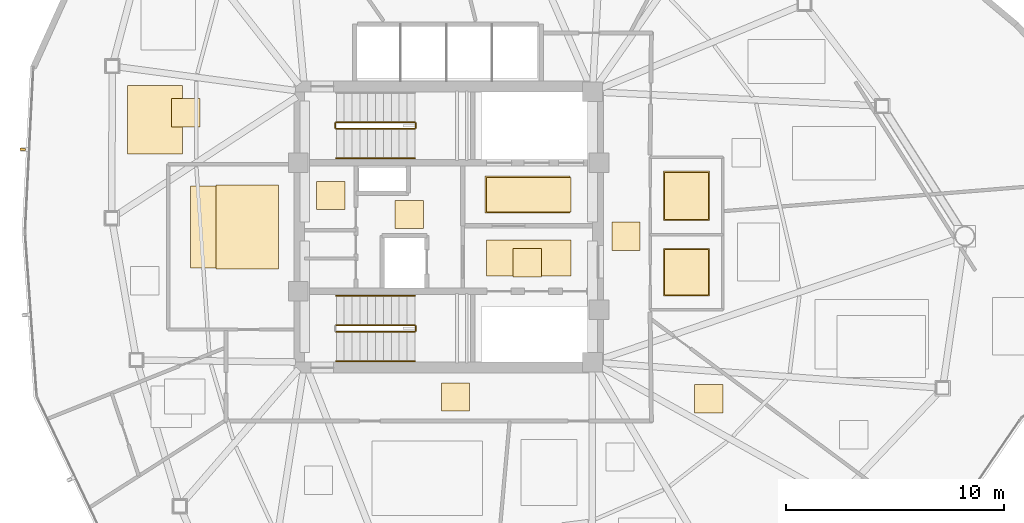
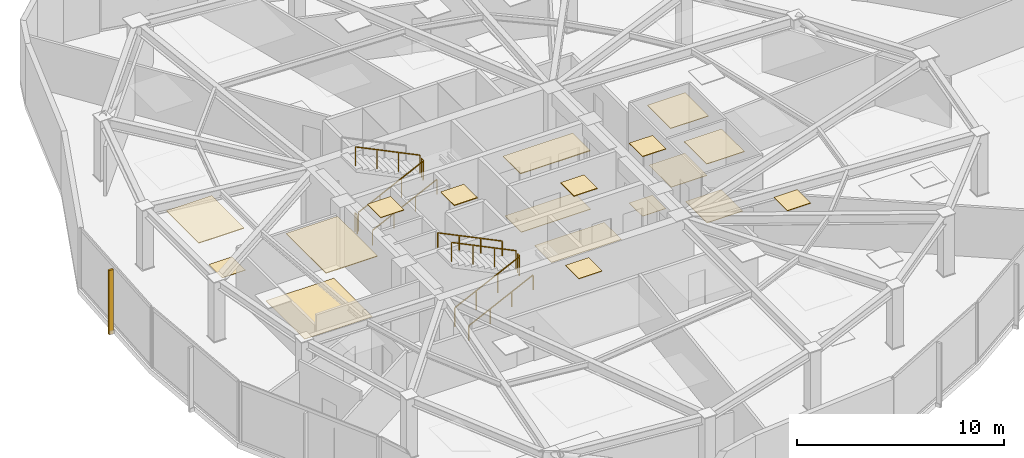
# One storey, part 15 of 17: 18 coverings, 10 railings, 1 shading device.
"""IFC4 building model written with IfcOpenShell, lengths in metres."""

from ifc_helpers import new_model, si_unit, direction, frame, origin, origin_2d, place, context, subcontext, project, spatial, polyline, rectangle, outline, extrude, source, transform, mapped, material, layer, layer_set, type_object, type_shapes, element, save


model = new_model("IFC4")

# Units and contexts
model_context = context("Model", 3, precision=1e-05, world=origin(), true_north=direction((0.0, 1.0)))
body_context = subcontext(model_context, "Body", "Model", "MODEL_VIEW")
ifc_project = project(units=[si_unit("LENGTHUNIT", "METRE"), si_unit("AREAUNIT", "SQUARE_METRE"), si_unit("VOLUMEUNIT", "CUBIC_METRE"), si_unit("PLANEANGLEUNIT", "RADIAN"), si_unit("MASSUNIT", "GRAM", prefix="KILO")], contexts=[model_context])

# Site, building, storey
site_placement = place(None, origin())
site = spatial("IfcSite", under=ifc_project, at=site_placement, CompositionType="ELEMENT")
building_placement = place(site_placement, origin())
building = spatial("IfcBuilding", under=site, at=building_placement, Name="Tavelor Broadcast Tower", CompositionType="ELEMENT")
storey_placement = place(building_placement, frame((0.0, 0.0, 161.800048828125)))
storey = spatial("IfcBuildingStorey", under=building, at=storey_placement, Name="L38", CompositionType="ELEMENT", Elevation=161.800048828125)

# Coverings
ifc_material_1 = material(Name="Copper-Bronze Anodized Aluminium", Category="aluminium")
ifc_layer_1 = layer(ifc_material_1, 0.044921875)
ifc_layer_set_1 = layer_set([ifc_layer_1], Name="Copper-Bronze Anodized Aluminium")
covering_type_1 = type_object("IfcCoveringType", Name="Anodised Bronze Linear Slatted Concourse Ceiling 45 mm", PredefinedType="CEILING", material=ifc_layer_set_1)
covering_1_placement = place(storey_placement, frame((0.0, 0.0, 3.5048828125)))
element("IfcCovering", 1, at=covering_1_placement, inside=storey, type_object=covering_type_1, Name="L38 Suspended Acoustic Ceiling 1570", PredefinedType="CEILING", context=body_context, shape_type="SweptSolid", body=[
    extrude(outline(polyline([(51.659912109375, 45.6318359375), (55.55712890625, 45.6318359375), (55.55712890625, 47.328125), (51.659912109375, 47.328125), (51.659912109375, 45.6318359375)])), origin(), (0.0, 0.0, 1.0), 0.045166015625),
])
covering_2_placement = place(storey_placement, frame((0.0, 0.0, 3.5048828125)))
element("IfcCovering", 2, at=covering_2_placement, inside=storey, type_object=covering_type_1, Name="L38 Suspended Acoustic Ceiling 1571", PredefinedType="CEILING", context=body_context, shape_type="SweptSolid", body=[
    extrude(outline(polyline([(52.95361328125, 42.705078125), (54.25341796875, 42.705078125), (54.25341796875, 44.0048828125), (52.95361328125, 44.0048828125), (52.95361328125, 42.705078125)])), origin(), (0.0, 0.0, 1.0), 0.045166015625),
])
covering_3_placement = place(storey_placement, frame((0.0, 0.0, 3.5048828125)))
element("IfcCovering", 3, at=covering_3_placement, inside=storey, type_object=covering_type_1, Name="L38 Suspended Acoustic Ceiling 1572", PredefinedType="CEILING", context=body_context, shape_type="SweptSolid", body=[
    extrude(outline(polyline([(47.544921875, 44.919921875), (48.844970703125, 44.919921875), (48.844970703125, 46.219970703125), (47.544921875, 46.219970703125), (47.544921875, 44.919921875)])), origin(), (0.0, 0.0, 1.0), 0.045166015625),
])

# Railings
ifc_material_2 = material(Name="Steel S355", Category="steel")
railing_type_1 = type_object("IfcRailingType", Name="Continuous Brushed Stainless Handrail 900 mm", PredefinedType="HANDRAIL", material=ifc_material_2)
for number, where, name in (
    (4, (44.85009765625, 48.14990234375, 0.175048828125), "L38 ST1 stair handrail 1"),
    (5, (44.85009765625, 38.85009765625, 0.175048828125), "L38 ST2 stair handrail 1"),
):
    element("IfcRailing", number, at=place(storey_placement, frame(where)), inside=storey, type_object=railing_type_1, Name=name, PredefinedType="HANDRAIL", context=body_context, shape_type="SweptSolid", body=[
        extrude(rectangle(XDim=0.048095703125, YDim=0.048095703125, at=origin_2d()), frame((0.0, 0.0, 0.8759765625), z_axis=(0.899360859046, 0.0, 0.437207096483), x_axis=(0.0, 1.0, 0.0)), (0.0, 0.0, 1.0), 4.002685546875),
        extrude(rectangle(XDim=0.0419921875, YDim=0.0419921875, at=origin_2d()), origin(), (0.0, 0.0, 1.0), 0.851806640625),
        extrude(rectangle(XDim=0.0419921875, YDim=0.0419921875, at=origin_2d()), frame((1.199951171875, 0.0, 0.583251953125)), (0.0, 0.0, 1.0), 0.851806640625),
        extrude(rectangle(XDim=0.0419921875, YDim=0.0419921875, at=origin_2d()), frame((2.39990234375, 0.0, 1.166748046875)), (0.0, 0.0, 1.0), 0.851806640625),
        extrude(rectangle(XDim=0.0419921875, YDim=0.0419921875, at=origin_2d()), frame((3.599853515625, 0.0, 1.75)), (0.0, 0.0, 1.0), 0.851806640625),
    ])
railing_1_placement = place(storey_placement, frame((48.449951171875, 41.85009765625, 2.099853515625)))
element("IfcRailing", 6, at=railing_1_placement, inside=storey, type_object=railing_type_1, Name="L38 ST2 stair handrail 2", PredefinedType="HANDRAIL", context=body_context, shape_type="SweptSolid", body=[
    extrude(rectangle(XDim=0.048095703125, YDim=0.048095703125, at=origin_2d()), frame((0.0, 0.0, 0.8759765625), z_axis=(-0.899360859046, 0.0, 0.437207096483), x_axis=(0.0, -1.0, 0.0)), (0.0, 0.0, 1.0), 4.002685546875),
    extrude(rectangle(XDim=0.0419921875, YDim=0.0419921875, at=origin_2d()), origin(), (0.0, 0.0, 1.0), 0.851806640625),
    extrude(rectangle(XDim=0.0419921875, YDim=0.0419921875, at=origin_2d()), frame((-1.199951171875, 0.0, 0.583251953125)), (0.0, 0.0, 1.0), 0.851806640625),
    extrude(rectangle(XDim=0.0419921875, YDim=0.0419921875, at=origin_2d()), frame((-2.39990234375, 0.0, 1.166748046875)), (0.0, 0.0, 1.0), 0.851806640625),
    extrude(rectangle(XDim=0.0419921875, YDim=0.0419921875, at=origin_2d()), frame((-3.599853515625, 0.0, 1.75)), (0.0, 0.0, 1.0), 0.851806640625),
])

# Coverings
ifc_material_3 = material(Name="Architectural Anodized Aluminium", Category="aluminium")
ifc_layer_2 = layer(ifc_material_3, 0.034912109375)
ifc_layer_set_2 = layer_set([ifc_layer_2], Name="Architectural Anodized Aluminium")
covering_type_2 = type_object("IfcCoveringType", Name="Demountable Metal Tile Corridor Ceiling 35 mm", PredefinedType="CEILING", material=ifc_layer_set_2)
covering_4_placement = place(storey_placement, frame((0.0, 0.0, 3.514892578125)))
element("IfcCovering", 7, at=covering_4_placement, inside=storey, type_object=covering_type_2, Name="L38 Suspended Acoustic Ceiling 1574", PredefinedType="CEILING", context=body_context, shape_type="SweptSolid", body=[
    extrude(outline(polyline([(57.489990234375, 43.925048828125), (58.7900390625, 43.925048828125), (58.7900390625, 45.22509765625), (57.489990234375, 45.22509765625), (57.489990234375, 43.925048828125)])), origin(), (0.0, 0.0, 1.0), 0.03515625),
])
covering_5_placement = place(storey_placement, frame((0.0, 0.0, 3.514892578125)))
element("IfcCovering", 8, at=covering_5_placement, inside=storey, type_object=covering_type_2, Name="L38 Suspended Acoustic Ceiling 1575", PredefinedType="CEILING", context=body_context, shape_type="SweptSolid", body=[
    extrude(outline(polyline([(49.669921875, 36.550048828125), (50.9697265625, 36.550048828125), (50.9697265625, 37.85009765625), (49.669921875, 37.85009765625), (49.669921875, 36.550048828125)])), origin(), (0.0, 0.0, 1.0), 0.03515625),
])
ifc_material_4 = material(Name="Acoustic Nylon Carpet Tile")
ifc_layer_3 = layer(ifc_material_4, 0.02001953125)
ifc_layer_set_3 = layer_set([ifc_layer_3], Name="Acoustic Nylon Carpet Tile")
covering_type_3 = type_object("IfcCoveringType", Name="Heavy-Duty Acoustic Broadcast Carpet Tile 20 mm", PredefinedType="FLOORING", material=ifc_layer_set_3)
covering_6_placement = place(storey_placement, origin())
element("IfcCovering", 9, at=covering_6_placement, inside=storey, type_object=covering_type_3, Name="L38 Broadcast Floor Finish 0557", PredefinedType="FLOORING", context=body_context, shape_type="SweptSolid", body=[
    extrude(outline(polyline([(57.489990234375, 43.925048828125), (58.7900390625, 43.925048828125), (58.7900390625, 45.22509765625), (57.489990234375, 45.22509765625), (57.489990234375, 43.925048828125)])), origin(), (0.0, 0.0, 1.0), 0.02001953125),
])
covering_7_placement = place(storey_placement, origin())
element("IfcCovering", 10, at=covering_7_placement, inside=storey, type_object=covering_type_3, Name="L38 Broadcast Floor Finish 0558", PredefinedType="FLOORING", context=body_context, shape_type="SweptSolid", body=[
    extrude(outline(polyline([(38.15771484375, 43.12890625), (41.942138671875, 43.12890625), (41.942138671875, 46.87060546875), (38.15771484375, 46.87060546875), (38.15771484375, 43.12890625)])), origin(), (0.0, 0.0, 1.0), 0.02001953125),
])
covering_8_placement = place(storey_placement, origin())
element("IfcCovering", 11, at=covering_8_placement, inside=storey, type_object=covering_type_3, Name="L38 Broadcast Floor Finish 0563", PredefinedType="FLOORING", context=body_context, shape_type="SweptSolid", body=[
    extrude(outline(polyline([(37.29345703125, 49.589599609375), (38.593505859375, 49.589599609375), (38.593505859375, 50.889404296875), (37.29345703125, 50.889404296875), (37.29345703125, 49.589599609375)])), origin(), (0.0, 0.0, 1.0), 0.02001953125),
])
ifc_material_5 = material(Name="Honed Natural Limestone Tile", Category="masonry")
ifc_layer_4 = layer(ifc_material_5, 0.030029296875)
ifc_layer_set_4 = layer_set([ifc_layer_4], Name="Honed Natural Limestone Tile")
covering_type_4 = type_object("IfcCoveringType", Name="Honed Jerusalem Limestone Concourse Flooring 30 mm", PredefinedType="FLOORING", material=ifc_layer_set_4)
covering_9_placement = place(storey_placement, origin())
element("IfcCovering", 12, at=covering_9_placement, inside=storey, type_object=covering_type_4, Name="L38 Broadcast Floor Finish 0555", PredefinedType="FLOORING", context=body_context, shape_type="SweptSolid", body=[
    extrude(outline(polyline([(51.7373046875, 45.689453125), (55.62255859375, 45.689453125), (55.62255859375, 47.2705078125), (51.7373046875, 47.2705078125), (51.7373046875, 45.689453125)])), origin(), (0.0, 0.0, 1.0), 0.030029296875),
])
covering_10_placement = place(storey_placement, origin())
element("IfcCovering", 13, at=covering_10_placement, inside=storey, type_object=covering_type_4, Name="L38 Broadcast Floor Finish 0556", PredefinedType="FLOORING", context=body_context, shape_type="SweptSolid", body=[
    extrude(outline(polyline([(51.728759765625, 42.743408203125), (55.62109375, 42.743408203125), (55.62109375, 44.396484375), (51.728759765625, 44.396484375), (51.728759765625, 42.743408203125)])), origin(), (0.0, 0.0, 1.0), 0.030029296875),
])
ifc_layer_5 = layer(ifc_material_3, 0.030029296875)
ifc_layer_set_5 = layer_set([ifc_layer_5], Name="Architectural Anodized Aluminium")
covering_type_5 = type_object("IfcCoveringType", Name="Moisture-Resistant Washroom Ceiling 30 mm", PredefinedType="CEILING", material=ifc_layer_set_5)
covering_11_placement = place(storey_placement, frame((0.0, 0.0, 3.52001953125)))
element("IfcCovering", 14, at=covering_11_placement, inside=storey, type_object=covering_type_5, Name="L38 Suspended Acoustic Ceiling 1573", PredefinedType="CEILING", context=body_context, shape_type="SweptSolid", body=[
    extrude(outline(polyline([(43.951416015625, 45.794921875), (45.25146484375, 45.794921875), (45.25146484375, 47.094970703125), (43.951416015625, 47.094970703125), (43.951416015625, 45.794921875)])), origin(), (0.0, 0.0, 1.0), 0.030029296875),
])
covering_12_placement = place(storey_placement, frame((0.0, 0.0, 3.52001953125)))
element("IfcCovering", 15, at=covering_12_placement, inside=storey, type_object=covering_type_5, Name="L38 Suspended Acoustic Ceiling 1577", PredefinedType="CEILING", context=body_context, shape_type="SweptSolid", body=[
    extrude(outline(polyline([(59.85302734375, 41.828369140625), (61.967041015625, 41.828369140625), (61.967041015625, 44.021484375), (59.85302734375, 44.021484375), (59.85302734375, 41.828369140625)])), origin(), (0.0, 0.0, 1.0), 0.030029296875),
])
covering_13_placement = place(storey_placement, frame((0.0, 0.0, 3.52001953125)))
element("IfcCovering", 16, at=covering_13_placement, inside=storey, type_object=covering_type_5, Name="L38 Suspended Acoustic Ceiling 1578", PredefinedType="CEILING", context=body_context, shape_type="SweptSolid", body=[
    extrude(outline(polyline([(59.85302734375, 45.29248046875), (61.967041015625, 45.29248046875), (61.967041015625, 47.5576171875), (59.85302734375, 47.5576171875), (59.85302734375, 45.29248046875)])), origin(), (0.0, 0.0, 1.0), 0.030029296875),
])
ifc_material_6 = material(Name="Slip-Resistant Porcelain Tile")
ifc_layer_6 = layer(ifc_material_6, 0.02490234375)
ifc_layer_set_6 = layer_set([ifc_layer_6], Name="Slip-Resistant Porcelain Tile")
covering_type_6 = type_object("IfcCoveringType", Name="Slip-Resistant Porcelain Wet-Area Floor Tile 25 mm", PredefinedType="FLOORING", material=ifc_layer_set_6)
covering_14_placement = place(storey_placement, origin())
element("IfcCovering", 17, at=covering_14_placement, inside=storey, type_object=covering_type_6, Name="L38 Broadcast Floor Finish 0559", PredefinedType="FLOORING", context=body_context, shape_type="SweptSolid", body=[
    extrude(outline(polyline([(59.91064453125, 41.885986328125), (61.909423828125, 41.885986328125), (61.909423828125, 43.964111328125), (59.91064453125, 43.964111328125), (59.91064453125, 41.885986328125)])), origin(), (0.0, 0.0, 1.0), 0.02490234375),
])
covering_15_placement = place(storey_placement, origin())
element("IfcCovering", 18, at=covering_15_placement, inside=storey, type_object=covering_type_6, Name="L38 Broadcast Floor Finish 0560", PredefinedType="FLOORING", context=body_context, shape_type="SweptSolid", body=[
    extrude(outline(polyline([(59.91064453125, 45.35009765625), (61.909423828125, 45.35009765625), (61.909423828125, 47.5), (59.91064453125, 47.5), (59.91064453125, 45.35009765625)])), origin(), (0.0, 0.0, 1.0), 0.02490234375),
])

# Railings
railing_type_2 = type_object("IfcRailingType", Name="Stairwell Steel Safety Guardrail 1150 mm", PredefinedType="GUARDRAIL", material=ifc_material_2)
railing_2_placement = place(storey_placement, frame((44.85009765625, 49.5, 0.175048828125)))
element("IfcRailing", 19, at=railing_2_placement, inside=storey, type_object=railing_type_2, Name="L38 ST1 stair guard 1", PredefinedType="GUARDRAIL", context=body_context, shape_type="SweptSolid", body=[
    extrude(rectangle(XDim=0.048095703125, YDim=0.048095703125, at=origin_2d()), frame((0.0, 0.0, 1.1259765625), z_axis=(0.899360859046, 0.0, 0.437207096483), x_axis=(0.0, 1.0, 0.0)), (0.0, 0.0, 1.0), 4.002685546875),
    extrude(rectangle(XDim=0.0419921875, YDim=0.0419921875, at=origin_2d()), origin(), (0.0, 0.0, 1.0), 1.101806640625),
    extrude(rectangle(XDim=0.0419921875, YDim=0.0419921875, at=origin_2d()), frame((1.199951171875, 0.0, 0.583251953125)), (0.0, 0.0, 1.0), 1.101806640625),
    extrude(rectangle(XDim=0.0419921875, YDim=0.0419921875, at=origin_2d()), frame((2.39990234375, 0.0, 1.166748046875)), (0.0, 0.0, 1.0), 1.101806640625),
    extrude(rectangle(XDim=0.0419921875, YDim=0.0419921875, at=origin_2d()), frame((3.599853515625, 0.0, 1.75)), (0.0, 0.0, 1.0), 1.101806640625),
])
railing_3_placement = place(storey_placement, frame((48.5, 49.550048828125, 1.925048828125)))
element("IfcRailing", 20, at=railing_3_placement, inside=storey, type_object=railing_type_2, Name="L38 ST1 stair guard 2", PredefinedType="GUARDRAIL", context=body_context, shape_type="SweptSolid", body=[
    extrude(rectangle(XDim=0.048095703125, YDim=0.048095703125, at=origin_2d()), frame((0.0, 0.0, 1.1259765625), z_axis=(0.0, 1.0, 0.0), x_axis=(-1.0, 0.0, 0.0)), (0.0, 0.0, 1.0), 0.199951171875),
    extrude(rectangle(XDim=0.0419921875, YDim=0.0419921875, at=origin_2d()), origin(), (0.0, 0.0, 1.0), 1.101806640625),
    extrude(rectangle(XDim=0.0419921875, YDim=0.0419921875, at=origin_2d()), frame((0.0, 0.199951171875, 0.0)), (0.0, 0.0, 1.0), 1.101806640625),
])
railing_4_placement = place(storey_placement, frame((48.449951171875, 49.800048828125, 2.099853515625)))
element("IfcRailing", 21, at=railing_4_placement, inside=storey, type_object=railing_type_2, Name="L38 ST1 stair guard 3", PredefinedType="GUARDRAIL", context=body_context, shape_type="SweptSolid", body=[
    extrude(rectangle(XDim=0.048095703125, YDim=0.048095703125, at=origin_2d()), frame((0.0, 0.0, 1.1259765625), z_axis=(-0.899360859046, 0.0, 0.437207096483), x_axis=(0.0, -1.0, 0.0)), (0.0, 0.0, 1.0), 4.002685546875),
    extrude(rectangle(XDim=0.0419921875, YDim=0.0419921875, at=origin_2d()), origin(), (0.0, 0.0, 1.0), 1.101806640625),
    extrude(rectangle(XDim=0.0419921875, YDim=0.0419921875, at=origin_2d()), frame((-1.199951171875, 0.0, 0.583251953125)), (0.0, 0.0, 1.0), 1.101806640625),
    extrude(rectangle(XDim=0.0419921875, YDim=0.0419921875, at=origin_2d()), frame((-2.39990234375, 0.0, 1.166748046875)), (0.0, 0.0, 1.0), 1.101806640625),
    extrude(rectangle(XDim=0.0419921875, YDim=0.0419921875, at=origin_2d()), frame((-3.599853515625, 0.0, 1.75)), (0.0, 0.0, 1.0), 1.101806640625),
])
railing_5_placement = place(storey_placement, frame((44.800048828125, 49.550048828125, 0.0)))
element("IfcRailing", 22, at=railing_5_placement, inside=storey, type_object=railing_type_2, Name="L38 ST1 stair guard 4", PredefinedType="GUARDRAIL", context=body_context, shape_type="SweptSolid", body=[
    extrude(rectangle(XDim=0.048095703125, YDim=0.048095703125, at=origin_2d()), frame((0.0, 0.0, 1.1259765625), z_axis=(0.0, 1.0, 0.0), x_axis=(-1.0, 0.0, 0.0)), (0.0, 0.0, 1.0), 0.199951171875),
    extrude(rectangle(XDim=0.0419921875, YDim=0.0419921875, at=origin_2d()), origin(), (0.0, 0.0, 1.0), 1.101806640625),
    extrude(rectangle(XDim=0.0419921875, YDim=0.0419921875, at=origin_2d()), frame((0.0, 0.199951171875, 0.0)), (0.0, 0.0, 1.0), 1.101806640625),
])
railing_6_placement = place(storey_placement, frame((44.85009765625, 40.199951171875, 0.175048828125)))
element("IfcRailing", 23, at=railing_6_placement, inside=storey, type_object=railing_type_2, Name="L38 ST2 stair guard 1", PredefinedType="GUARDRAIL", context=body_context, shape_type="SweptSolid", body=[
    extrude(rectangle(XDim=0.048095703125, YDim=0.048095703125, at=origin_2d()), frame((0.0, 0.0, 1.1259765625), z_axis=(0.899360859046, 0.0, 0.437207096483), x_axis=(0.0, 1.0, 0.0)), (0.0, 0.0, 1.0), 4.002685546875),
    extrude(rectangle(XDim=0.0419921875, YDim=0.0419921875, at=origin_2d()), origin(), (0.0, 0.0, 1.0), 1.101806640625),
    extrude(rectangle(XDim=0.0419921875, YDim=0.0419921875, at=origin_2d()), frame((1.199951171875, 0.0, 0.583251953125)), (0.0, 0.0, 1.0), 1.101806640625),
    extrude(rectangle(XDim=0.0419921875, YDim=0.0419921875, at=origin_2d()), frame((2.39990234375, 0.0, 1.166748046875)), (0.0, 0.0, 1.0), 1.101806640625),
    extrude(rectangle(XDim=0.0419921875, YDim=0.0419921875, at=origin_2d()), frame((3.599853515625, 0.0, 1.75)), (0.0, 0.0, 1.0), 1.101806640625),
])
railing_7_placement = place(storey_placement, frame((48.5, 40.25, 1.925048828125)))
element("IfcRailing", 24, at=railing_7_placement, inside=storey, type_object=railing_type_2, Name="L38 ST2 stair guard 2", PredefinedType="GUARDRAIL", context=body_context, shape_type="SweptSolid", body=[
    extrude(rectangle(XDim=0.048095703125, YDim=0.048095703125, at=origin_2d()), frame((0.0, 0.0, 1.1259765625), z_axis=(0.0, 1.0, 0.0), x_axis=(-1.0, 0.0, 0.0)), (0.0, 0.0, 1.0), 0.199951171875),
    extrude(rectangle(XDim=0.0419921875, YDim=0.0419921875, at=origin_2d()), origin(), (0.0, 0.0, 1.0), 1.101806640625),
    extrude(rectangle(XDim=0.0419921875, YDim=0.0419921875, at=origin_2d()), frame((0.0, 0.199951171875, 0.0)), (0.0, 0.0, 1.0), 1.101806640625),
])
railing_8_placement = place(storey_placement, frame((48.449951171875, 40.5, 2.099853515625)))
element("IfcRailing", 25, at=railing_8_placement, inside=storey, type_object=railing_type_2, Name="L38 ST2 stair guard 3", PredefinedType="GUARDRAIL", context=body_context, shape_type="SweptSolid", body=[
    extrude(rectangle(XDim=0.048095703125, YDim=0.048095703125, at=origin_2d()), frame((0.0, 0.0, 1.1259765625), z_axis=(-0.899360859046, 0.0, 0.437207096483), x_axis=(0.0, -1.0, 0.0)), (0.0, 0.0, 1.0), 4.002685546875),
    extrude(rectangle(XDim=0.0419921875, YDim=0.0419921875, at=origin_2d()), origin(), (0.0, 0.0, 1.0), 1.101806640625),
    extrude(rectangle(XDim=0.0419921875, YDim=0.0419921875, at=origin_2d()), frame((-1.199951171875, 0.0, 0.583251953125)), (0.0, 0.0, 1.0), 1.101806640625),
    extrude(rectangle(XDim=0.0419921875, YDim=0.0419921875, at=origin_2d()), frame((-2.39990234375, 0.0, 1.166748046875)), (0.0, 0.0, 1.0), 1.101806640625),
    extrude(rectangle(XDim=0.0419921875, YDim=0.0419921875, at=origin_2d()), frame((-3.599853515625, 0.0, 1.75)), (0.0, 0.0, 1.0), 1.101806640625),
])

# Coverings
ifc_material_7 = material(Name="Acoustic Mineral Fibre Tile")
ifc_layer_7 = layer(ifc_material_7, 0.0400390625)
ifc_layer_set_7 = layer_set([ifc_layer_7], Name="Acoustic Mineral Fibre Tile")
covering_type_7 = type_object("IfcCoveringType", Name="Suspended Acoustic Mineral-Fibre Office Ceiling 40 mm", PredefinedType="CEILING", material=ifc_layer_set_7)
covering_16_placement = place(storey_placement, frame((0.0, 0.0, 3.510009765625)))
element("IfcCovering", 26, at=covering_16_placement, inside=storey, type_object=covering_type_7, Name="L38 Suspended Acoustic Ceiling 1576", PredefinedType="CEILING", context=body_context, shape_type="SweptSolid", body=[
    extrude(outline(polyline([(39.321533203125, 43.0712890625), (42.198486328125, 43.0712890625), (42.198486328125, 46.927978515625), (39.321533203125, 46.927978515625), (39.321533203125, 43.0712890625)])), origin(), (0.0, 0.0, 1.0), 0.0400390625),
])
covering_17_placement = place(storey_placement, frame((0.0, 0.0, 3.510009765625)))
element("IfcCovering", 27, at=covering_17_placement, inside=storey, type_object=covering_type_7, Name="L38 Suspended Acoustic Ceiling 1579", PredefinedType="CEILING", context=body_context, shape_type="SweptSolid", body=[
    extrude(outline(polyline([(61.27880859375, 36.466552734375), (62.578857421875, 36.466552734375), (62.578857421875, 37.7666015625), (61.27880859375, 37.7666015625), (61.27880859375, 36.466552734375)])), origin(), (0.0, 0.0, 1.0), 0.0400390625),
])
covering_18_placement = place(storey_placement, frame((0.0, 0.0, 3.510009765625)))
element("IfcCovering", 28, at=covering_18_placement, inside=storey, type_object=covering_type_7, Name="L38 Suspended Acoustic Ceiling 1592", PredefinedType="CEILING", context=body_context, shape_type="SweptSolid", body=[
    extrude(outline(polyline([(35.262451171875, 48.34423828125), (37.79638671875, 48.34423828125), (37.79638671875, 51.489013671875), (35.262451171875, 51.489013671875), (35.262451171875, 48.34423828125)])), origin(), (0.0, 0.0, 1.0), 0.0400390625),
])

# Shading device
ifc_material_8 = material(Name="Kiln-Fired Glazed Terracotta", Category="masonry")
shading_device_type = type_object("IfcShadingDeviceType", Name="Extruded Terracotta Baguette Sun-Screen 110x240", PredefinedType="JALOUSIE", material=ifc_material_8)
shared_shape = source(origin(), body_context, "Body", "SweptSolid", [
    extrude(rectangle(XDim=0.110107421875, YDim=0.239990234375, at=origin_2d()), origin(), (0.0, 0.0, 1.0), 3.7900390625),
])
type_shapes(shading_device_type, [shared_shape])
shading_device_placement = place(storey_placement, frame((30.46484375, 48.555419921875, -0.260009765625), z_axis=(0.0, 0.0, 1.0), x_axis=(-0.05024431818, -0.998736956606, 0.0)))
element("IfcShadingDevice", 29, at=shading_device_placement, inside=storey, type_object=shading_device_type, Name="L38 Terracotta Baguette Fin 385", PredefinedType="JALOUSIE", context=body_context, shape_type="MappedRepresentation", body=[
    mapped(shared_shape, transform((0.0, 0.0, 0.0), scale=1.0)),
])

save(model, "model.ifc")
